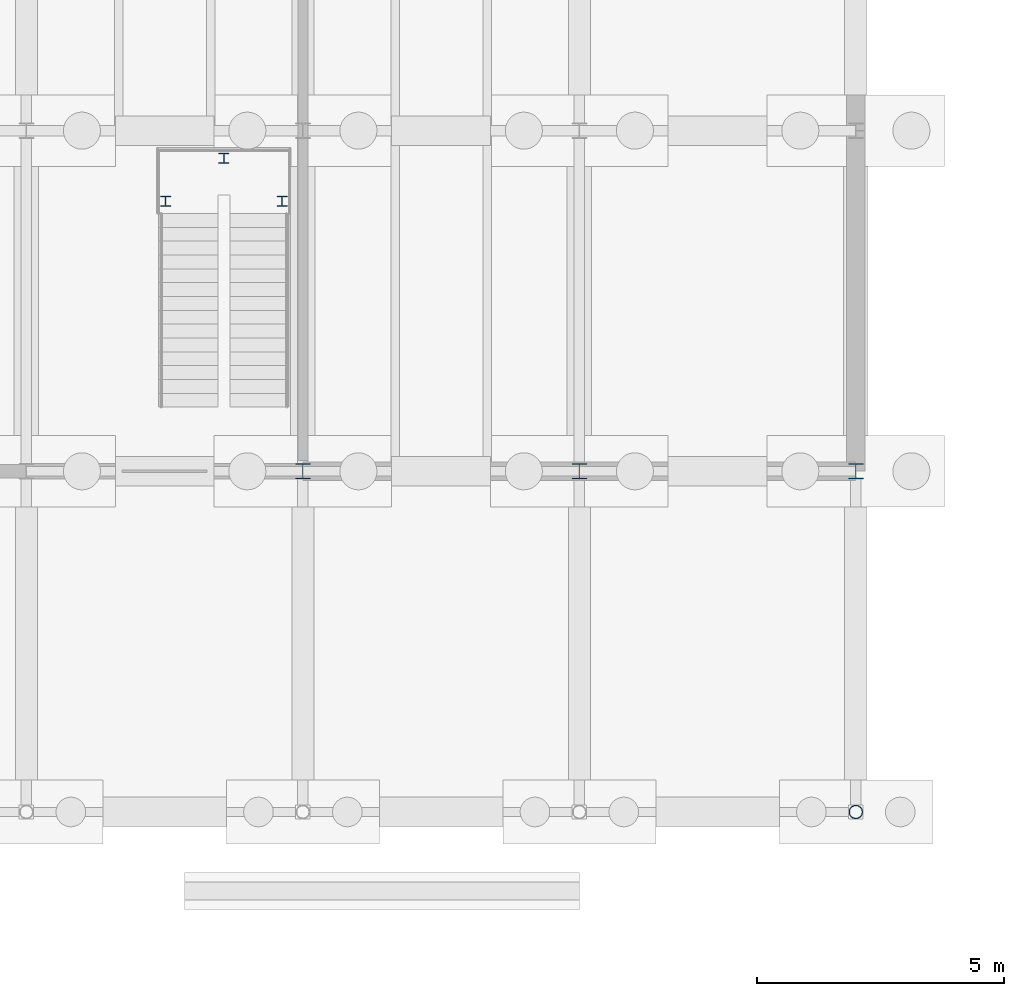
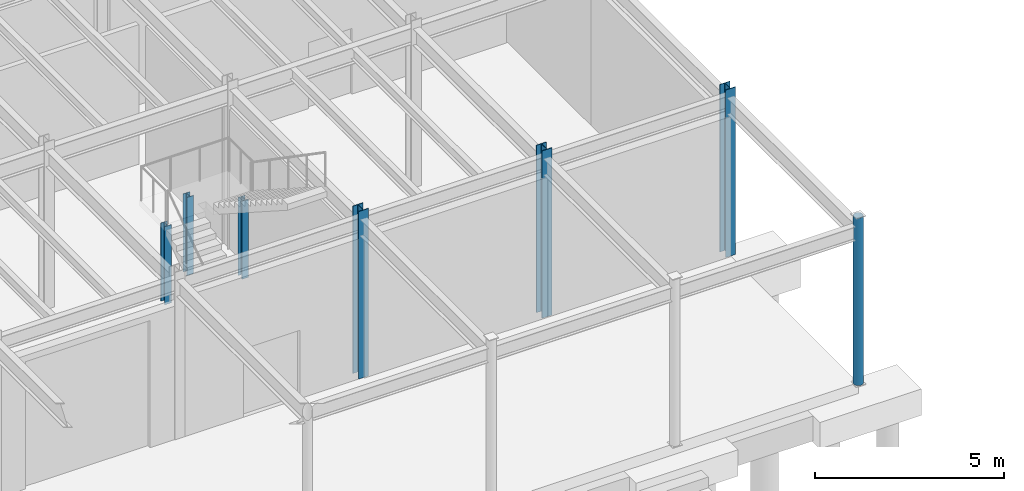
# One storey, part 12 of 82: 7 columns.
"""IFC4 building model written with IfcOpenShell, lengths in metres."""

from ifc_helpers import new_model, si_unit, direction, frame, origin, origin_2d, place, context, subcontext, project, spatial, hollow_circle, i_section, extrude, material, material_profile, profile_set, type_object, element, save


model = new_model("IFC4")

# Units and contexts
model_context = context("Model", 3, precision=1e-05, world=origin(), true_north=direction((0.0, 1.0)))
body_context = subcontext(model_context, "Body", "Model", "MODEL_VIEW")
ifc_project = project(units=[si_unit("LENGTHUNIT", "METRE"), si_unit("AREAUNIT", "SQUARE_METRE"), si_unit("VOLUMEUNIT", "CUBIC_METRE"), si_unit("PLANEANGLEUNIT", "RADIAN"), si_unit("MASSUNIT", "GRAM", prefix="KILO")], contexts=[model_context])

# Site, building, storey
site_placement = place(None, origin())
site = spatial("IfcSite", under=ifc_project, at=site_placement, CompositionType="ELEMENT")
building_placement = place(site_placement, origin())
building = spatial("IfcBuilding", under=site, at=building_placement, Name="Trelmorton Wharf Fire Station", CompositionType="ELEMENT")
storey_placement = place(building_placement, origin())
storey = spatial("IfcBuildingStorey", under=building, at=storey_placement, Name="L00", CompositionType="ELEMENT", Elevation=0.0)

# Columns
ifc_material_1 = material(Name="Steel Grade 350", Category="steel")
ifc_material_profile_1 = material_profile(ifc_material_1, i_section(OverallWidth=0.205078125, OverallDepth=0.2099609375, WebThickness=0.00927734375, FlangeThickness=0.01416015625, FilletRadius=0.011474609375, at=origin_2d()), Name="200UC59.5")
ifc_profile_set_1 = profile_set([ifc_material_profile_1], Name="Steel Grade 350")
column_type_1 = type_object("IfcColumnType", Name="COL_200UC60", PredefinedType="COLUMN", material=ifc_profile_set_1)
for number, where, z_axis, x_axis, name in (
    (1, (31.6201171875, 65.77001953125, 0.0), (0.0, 0.0, 1.0), (1.0, 0.0, 0.0), "COL-STS-03-1"),
    (2, (33.97998046875, 65.77001953125, 0.0), (0.0, 0.0, 1.0), (1.0, 0.0, 0.0), "COL-STS-03-2"),
    (3, (32.800048828125, 66.639892578125, 0.0), (0.0, 0.0, 1.0), (1.0, 0.0, 0.0), "COL-STS-03-3"),
):
    element("IfcColumn", number, at=place(storey_placement, frame(where, z_axis=z_axis, x_axis=x_axis)), inside=storey, type_object=column_type_1, Name=name, PredefinedType="COLUMN", context=body_context, shape_type="SweptSolid", body=[
        extrude(i_section(OverallWidth=0.205078125, OverallDepth=0.2099609375, WebThickness=0.00927734375, FlangeThickness=0.01416015625, FilletRadius=0.011474609375, at=origin_2d()), origin(), (0.0, 0.0, 1.0), 2.52001953125),
    ])
ifc_material_profile_2 = material_profile(ifc_material_1, i_section(OverallWidth=0.306884765625, OverallDepth=0.31494140625, WebThickness=0.011962890625, FlangeThickness=0.018798828125, FilletRadius=0.0166015625, at=origin_2d()), Name="310UC118")
ifc_profile_set_2 = profile_set([ifc_material_profile_2], Name="Steel Grade 350")
column_type_2 = type_object("IfcColumnType", Name="COL_310UC118", PredefinedType="COLUMN", material=ifc_profile_set_2)
for number, where, z_axis, x_axis, name in (
    (4, (34.39990234375, 60.300048828125, 0.0), (0.0, 0.0, 1.0), (1.0, 0.0, 0.0), "COL-L00-0064"),
    (5, (40.0, 60.300048828125, 0.0), (0.0, 0.0, 1.0), (1.0, 0.0, 0.0), "COL-L00-0073"),
    (6, (45.60009765625, 60.300048828125, 0.0), (0.0, 0.0, 1.0), (1.0, 0.0, 0.0), "COL-L00-0082"),
):
    element("IfcColumn", number, at=place(storey_placement, frame(where, z_axis=z_axis, x_axis=x_axis)), inside=storey, type_object=column_type_2, Name=name, PredefinedType="COLUMN", context=body_context, shape_type="SweptSolid", body=[
        extrude(i_section(OverallWidth=0.306884765625, OverallDepth=0.31494140625, WebThickness=0.011962890625, FlangeThickness=0.018798828125, FilletRadius=0.0166015625, at=origin_2d()), origin(), (0.0, 0.0, 1.0), 5.39990234375),
    ])
ifc_material_2 = material(Name="Steel C350L0 (350 MPa)", Category="steel")
ifc_material_profile_3 = material_profile(ifc_material_2, hollow_circle(Radius=0.136474609375, WallThickness=0.00927734375, at=origin_2d()), Name="273.1x9.3CHS")
ifc_profile_set_3 = profile_set([ifc_material_profile_3], Name="Steel C350L0 (350 MPa)")
column_type_3 = type_object("IfcColumnType", Name="COL_CHS273", PredefinedType="COLUMN", material=ifc_profile_set_3)
column_placement = place(storey_placement, frame((45.60009765625, 53.39990234375, 0.0), z_axis=(0.0, 0.0, 1.0), x_axis=(1.0, 0.0, 0.0)))
element("IfcColumn", 7, at=column_placement, inside=storey, type_object=column_type_3, Name="COL-L00-0081", PredefinedType="COLUMN", context=body_context, shape_type="SweptSolid", body=[
    extrude(hollow_circle(Radius=0.136474609375, WallThickness=0.00927734375, at=origin_2d()), origin(), (0.0, 0.0, 1.0), 5.39990234375),
])

save(model, "model.ifc")
